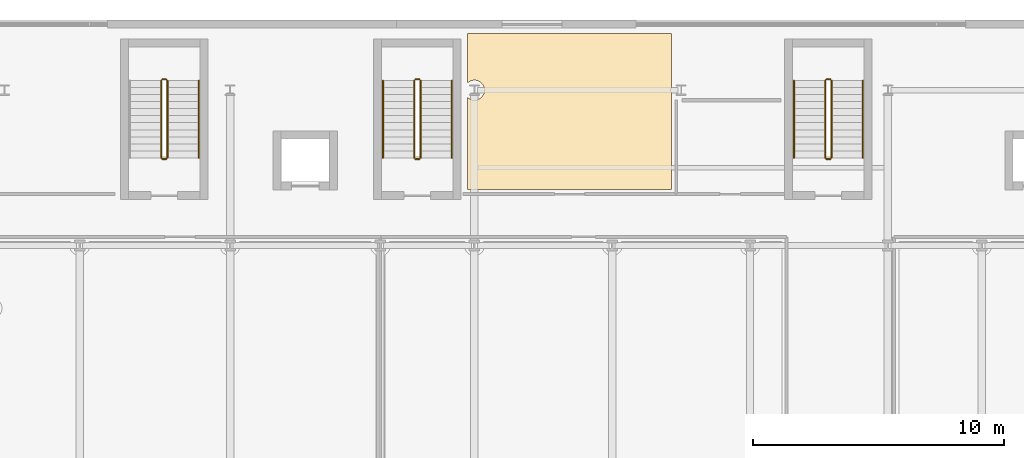
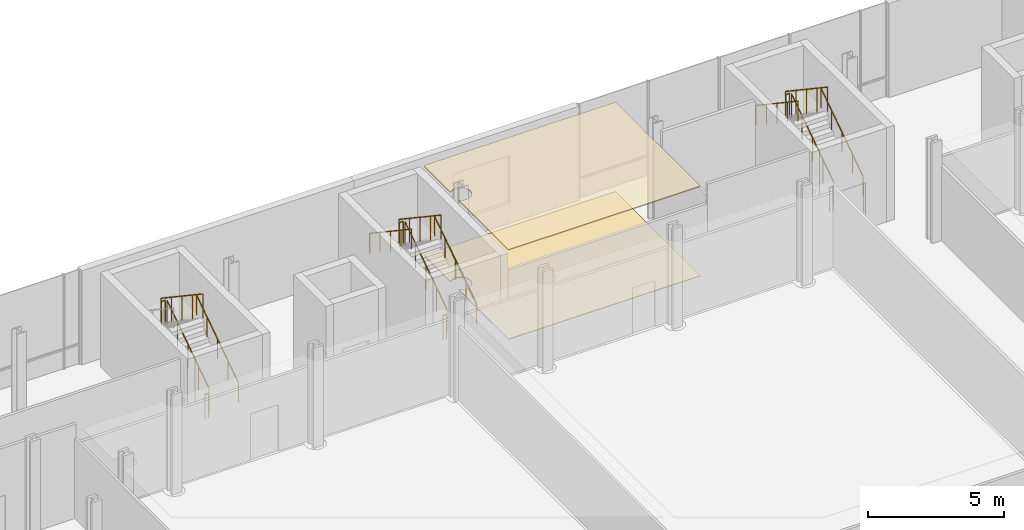
# One storey, part 24 of 25: 17 railings, 2 coverings.
"""IFC4 building model written with IfcOpenShell, lengths in metres."""

from ifc_helpers import new_model, si_unit, direction, frame, origin, origin_2d, place, context, subcontext, project, spatial, polyline, circle, outline, extrude, material, layer, layer_set, type_object, element, save


model = new_model("IFC4")

# Units and contexts
model_context = context("Model", 3, precision=1e-05, world=origin(), true_north=direction((0.0, 1.0)))
body_context = subcontext(model_context, "Body", "Model", "MODEL_VIEW")
ifc_project = project(units=[si_unit("LENGTHUNIT", "METRE"), si_unit("AREAUNIT", "SQUARE_METRE"), si_unit("VOLUMEUNIT", "CUBIC_METRE"), si_unit("PLANEANGLEUNIT", "RADIAN"), si_unit("MASSUNIT", "GRAM", prefix="KILO")], contexts=[model_context])

# Site, building, storey
site_placement = place(None, origin())
site = spatial("IfcSite", under=ifc_project, at=site_placement, CompositionType="ELEMENT")
building_placement = place(site_placement, origin())
building = spatial("IfcBuilding", under=site, at=building_placement, Name="Brevholm Reach", CompositionType="ELEMENT")
storey_placement = place(building_placement, frame((0.0, 0.0, 13.5)))
storey = spatial("IfcBuildingStorey", under=building, at=storey_placement, Name="L03", CompositionType="ELEMENT", Elevation=13.5)

# Coverings
ifc_material_1 = material(Name="Perforated Mineral-Fibre Class-A Acoustic Suspended Ceiling", Category="gypsum")
ifc_layer_1 = layer(ifc_material_1, 0.044921875)
ifc_layer_set_1 = layer_set([ifc_layer_1], Name="Perforated Mineral-Fibre Class-A Acoustic Suspended Ceiling")
covering_type_1 = type_object("IfcCoveringType", Name="COV-CLG-AC", PredefinedType="CEILING", material=ifc_layer_set_1)
covering_1_placement = place(storey_placement, frame((0.0, 0.0, 4.0048828125)))
element("IfcCovering", 1, at=covering_1_placement, inside=storey, type_object=covering_type_1, Name="L03 Suspended Ceiling L03-27", PredefinedType="CEILING", context=body_context, shape_type="SweptSolid", body=[
    extrude(outline(polyline([(21.47998046875, 36.905517578125), (21.49609375, 36.890869140625), (21.52783203125, 36.867431640625), (21.561279296875, 36.84716796875), (21.596923828125, 36.830322265625), (21.6337890625, 36.817138671875), (21.672119140625, 36.8076171875), (21.710693359375, 36.802001953125), (21.75, 36.800048828125), (21.789306640625, 36.802001953125), (21.827880859375, 36.8076171875), (21.8662109375, 36.817138671875), (21.903076171875, 36.830322265625), (21.938720703125, 36.84716796875), (21.97216796875, 36.867431640625), (22.00390625, 36.890869140625), (22.03271484375, 36.917236328125), (22.05908203125, 36.9462890625), (22.08251953125, 36.977783203125), (22.102783203125, 37.011474609375), (22.11962890625, 37.046875), (22.1328125, 37.083984375), (22.142333984375, 37.1220703125), (22.148193359375, 37.160888671875), (22.14990234375, 37.199951171875), (22.148193359375, 37.2392578125), (22.142333984375, 37.278076171875), (22.1328125, 37.316162109375), (22.11962890625, 37.35302734375), (22.102783203125, 37.388671875), (22.08251953125, 37.422119140625), (22.05908203125, 37.453857421875), (22.03271484375, 37.48291015625), (22.00390625, 37.50927734375), (21.97216796875, 37.53271484375), (21.938720703125, 37.552734375), (21.903076171875, 37.569580078125), (21.8662109375, 37.582763671875), (21.827880859375, 37.59228515625), (21.789306640625, 37.59814453125), (21.75, 37.60009765625), (21.710693359375, 37.59814453125), (21.672119140625, 37.59228515625), (21.6337890625, 37.582763671875), (21.596923828125, 37.569580078125), (21.561279296875, 37.552734375), (21.52783203125, 37.53271484375), (21.49609375, 37.50927734375), (21.47998046875, 37.494384765625), (21.47998046875, 39.4599609375), (29.6201171875, 39.4599609375), (29.6201171875, 37.323974609375), (29.6171875, 37.316162109375), (29.607666015625, 37.278076171875), (29.601806640625, 37.2392578125), (29.60009765625, 37.199951171875), (29.601806640625, 37.160888671875), (29.607666015625, 37.1220703125), (29.6171875, 37.083984375), (29.6201171875, 37.076171875), (29.6201171875, 33.23388671875), (21.47998046875, 33.23388671875), (21.47998046875, 36.905517578125)])), origin(), (0.0, 0.0, 1.0), 0.045166015625),
])
ifc_material_2 = material(Name="Honed Portland-Aggregate Resin Terrazzo Flooring", Category="concrete")
ifc_layer_2 = layer(ifc_material_2, 0.031982421875)
ifc_layer_set_2 = layer_set([ifc_layer_2], Name="Honed Portland-Aggregate Resin Terrazzo Flooring")
covering_type_2 = type_object("IfcCoveringType", Name="COV-FLR-TRZ", PredefinedType="FLOORING", material=ifc_layer_set_2)
covering_2_placement = place(storey_placement, origin())
element("IfcCovering", 2, at=covering_2_placement, inside=storey, type_object=covering_type_2, Name="L03 Floor Finish L03-27", PredefinedType="FLOORING", context=body_context, shape_type="SweptSolid", body=[
    extrude(outline(polyline([(21.47998046875, 36.905517578125), (21.49609375, 36.890869140625), (21.52783203125, 36.867431640625), (21.561279296875, 36.84716796875), (21.596923828125, 36.830322265625), (21.6337890625, 36.817138671875), (21.672119140625, 36.8076171875), (21.710693359375, 36.802001953125), (21.75, 36.800048828125), (21.789306640625, 36.802001953125), (21.827880859375, 36.8076171875), (21.8662109375, 36.817138671875), (21.903076171875, 36.830322265625), (21.938720703125, 36.84716796875), (21.97216796875, 36.867431640625), (22.00390625, 36.890869140625), (22.03271484375, 36.917236328125), (22.05908203125, 36.9462890625), (22.08251953125, 36.977783203125), (22.102783203125, 37.011474609375), (22.11962890625, 37.046875), (22.1328125, 37.083984375), (22.142333984375, 37.1220703125), (22.148193359375, 37.160888671875), (22.14990234375, 37.199951171875), (22.148193359375, 37.2392578125), (22.142333984375, 37.278076171875), (22.1328125, 37.316162109375), (22.11962890625, 37.35302734375), (22.102783203125, 37.388671875), (22.08251953125, 37.422119140625), (22.05908203125, 37.453857421875), (22.03271484375, 37.48291015625), (22.00390625, 37.50927734375), (21.97216796875, 37.53271484375), (21.938720703125, 37.552734375), (21.903076171875, 37.569580078125), (21.8662109375, 37.582763671875), (21.827880859375, 37.59228515625), (21.789306640625, 37.59814453125), (21.75, 37.60009765625), (21.710693359375, 37.59814453125), (21.672119140625, 37.59228515625), (21.6337890625, 37.582763671875), (21.596923828125, 37.569580078125), (21.561279296875, 37.552734375), (21.52783203125, 37.53271484375), (21.49609375, 37.50927734375), (21.47998046875, 37.494384765625), (21.47998046875, 39.4599609375), (29.6201171875, 39.4599609375), (29.6201171875, 37.323974609375), (29.6171875, 37.316162109375), (29.607666015625, 37.278076171875), (29.601806640625, 37.2392578125), (29.60009765625, 37.199951171875), (29.601806640625, 37.160888671875), (29.607666015625, 37.1220703125), (29.6171875, 37.083984375), (29.6201171875, 37.076171875), (29.6201171875, 33.23388671875), (21.47998046875, 33.23388671875), (21.47998046875, 36.905517578125)])), origin(), (0.0, 0.0, 1.0), 0.031982421875),
])

# Railings
ifc_material_3 = material(Name="Brushed Stainless Steel EN 1.4401 Continuous Handrail", Category="steel")
railing_type_1 = type_object("IfcRailingType", Name="RAL-HND-950", PredefinedType="HANDRAIL", material=ifc_material_3)
for number, where, name in (
    (3, (10.75, 34.5, 0.1875), "L03 ST-S1 stair handrail 1"),
    (4, (20.85009765625, 34.5, 0.1875), "L03 ST-S2 stair handrail 1"),
):
    element("IfcRailing", number, at=place(storey_placement, frame(where)), inside=storey, type_object=railing_type_1, Name=name, PredefinedType="HANDRAIL", context=body_context, shape_type="SweptSolid", body=[
        extrude(circle(Radius=0.02392578125, at=origin_2d()), frame((0.0, 0.0, 0.8857421875), z_axis=(0.0, 0.830913701846, 0.55640131208), x_axis=(-1.0, 0.0, 0.0)), (0.0, 0.0, 1.0), 3.706787109375),
        extrude(circle(Radius=0.02099609375, at=origin_2d()), origin(), (0.0, 0.0, 1.0), 0.86181640625),
        extrude(circle(Radius=0.02099609375, at=origin_2d()), frame((0.0, 0.77001953125, 0.515625)), (0.0, 0.0, 1.0), 0.86181640625),
        extrude(circle(Radius=0.02099609375, at=origin_2d()), frame((0.0, 1.5400390625, 1.03125)), (0.0, 0.0, 1.0), 0.86181640625),
        extrude(circle(Radius=0.02099609375, at=origin_2d()), frame((0.0, 2.31005859375, 1.546875)), (0.0, 0.0, 1.0), 0.86181640625),
        extrude(circle(Radius=0.02099609375, at=origin_2d()), frame((0.0, 3.080078125, 2.0625)), (0.0, 0.0, 1.0), 0.86181640625),
    ])
railing_1_placement = place(storey_placement, frame((18.10009765625, 37.580078125, 2.4375)))
element("IfcRailing", 5, at=railing_1_placement, inside=storey, type_object=railing_type_1, Name="L03 ST-S2 stair handrail 2", PredefinedType="HANDRAIL", context=body_context, shape_type="SweptSolid", body=[
    extrude(circle(Radius=0.02392578125, at=origin_2d()), frame((0.0, 0.0, 0.8857421875), z_axis=(0.0, -0.830913701846, 0.55640131208), x_axis=(1.0, 0.0, 0.0)), (0.0, 0.0, 1.0), 3.706787109375),
    extrude(circle(Radius=0.02099609375, at=origin_2d()), origin(), (0.0, 0.0, 1.0), 0.86181640625),
    extrude(circle(Radius=0.02099609375, at=origin_2d()), frame((0.0, -0.77001953125, 0.515625)), (0.0, 0.0, 1.0), 0.86181640625),
    extrude(circle(Radius=0.02099609375, at=origin_2d()), frame((0.0, -1.5400390625, 1.03125)), (0.0, 0.0, 1.0), 0.86181640625),
    extrude(circle(Radius=0.02099609375, at=origin_2d()), frame((0.0, -2.31005859375, 1.546875)), (0.0, 0.0, 1.0), 0.86181640625),
    extrude(circle(Radius=0.02099609375, at=origin_2d()), frame((0.0, -3.080078125, 2.0625)), (0.0, 0.0, 1.0), 0.86181640625),
])
railing_2_placement = place(storey_placement, frame((37.25, 34.5, 0.1875)))
element("IfcRailing", 6, at=railing_2_placement, inside=storey, type_object=railing_type_1, Name="L03 ST-S3 stair handrail 1", PredefinedType="HANDRAIL", context=body_context, shape_type="SweptSolid", body=[
    extrude(circle(Radius=0.02392578125, at=origin_2d()), frame((0.0, 0.0, 0.8857421875), z_axis=(0.0, 0.830913701846, 0.55640131208), x_axis=(-1.0, 0.0, 0.0)), (0.0, 0.0, 1.0), 3.706787109375),
    extrude(circle(Radius=0.02099609375, at=origin_2d()), origin(), (0.0, 0.0, 1.0), 0.86181640625),
    extrude(circle(Radius=0.02099609375, at=origin_2d()), frame((0.0, 0.77001953125, 0.515625)), (0.0, 0.0, 1.0), 0.86181640625),
    extrude(circle(Radius=0.02099609375, at=origin_2d()), frame((0.0, 1.5400390625, 1.03125)), (0.0, 0.0, 1.0), 0.86181640625),
    extrude(circle(Radius=0.02099609375, at=origin_2d()), frame((0.0, 2.31005859375, 1.546875)), (0.0, 0.0, 1.0), 0.86181640625),
    extrude(circle(Radius=0.02099609375, at=origin_2d()), frame((0.0, 3.080078125, 2.0625)), (0.0, 0.0, 1.0), 0.86181640625),
])
railing_3_placement = place(storey_placement, frame((34.5, 37.580078125, 2.4375)))
element("IfcRailing", 7, at=railing_3_placement, inside=storey, type_object=railing_type_1, Name="L03 ST-S3 stair handrail 2", PredefinedType="HANDRAIL", context=body_context, shape_type="SweptSolid", body=[
    extrude(circle(Radius=0.02392578125, at=origin_2d()), frame((0.0, 0.0, 0.8857421875), z_axis=(0.0, -0.830913701846, 0.55640131208), x_axis=(1.0, 0.0, 0.0)), (0.0, 0.0, 1.0), 3.706787109375),
    extrude(circle(Radius=0.02099609375, at=origin_2d()), origin(), (0.0, 0.0, 1.0), 0.86181640625),
    extrude(circle(Radius=0.02099609375, at=origin_2d()), frame((0.0, -0.77001953125, 0.515625)), (0.0, 0.0, 1.0), 0.86181640625),
    extrude(circle(Radius=0.02099609375, at=origin_2d()), frame((0.0, -1.5400390625, 1.03125)), (0.0, 0.0, 1.0), 0.86181640625),
    extrude(circle(Radius=0.02099609375, at=origin_2d()), frame((0.0, -2.31005859375, 1.546875)), (0.0, 0.0, 1.0), 0.86181640625),
    extrude(circle(Radius=0.02099609375, at=origin_2d()), frame((0.0, -3.080078125, 2.0625)), (0.0, 0.0, 1.0), 0.86181640625),
])
ifc_material_4 = material(Name="Painted Tubular Galvanised Steel S275JR Stair Guard", Category="steel")
railing_type_2 = type_object("IfcRailingType", Name="RAL-STG-1120", PredefinedType="BALUSTRADE", material=ifc_material_4)
railing_4_placement = place(storey_placement, frame((9.5, 34.5, 0.1875)))
element("IfcRailing", 8, at=railing_4_placement, inside=storey, type_object=railing_type_2, Name="L03 ST-S1 stair guard 1", PredefinedType="BALUSTRADE", context=body_context, shape_type="SweptSolid", body=[
    extrude(circle(Radius=0.02392578125, at=origin_2d()), frame((0.0, 0.0, 1.076171875), z_axis=(0.0, 0.830913701846, 0.55640131208), x_axis=(-1.0, 0.0, 0.0)), (0.0, 0.0, 1.0), 3.706787109375),
    extrude(circle(Radius=0.02099609375, at=origin_2d()), origin(), (0.0, 0.0, 1.0), 1.052001953125),
    extrude(circle(Radius=0.02099609375, at=origin_2d()), frame((0.0, 0.77001953125, 0.515625)), (0.0, 0.0, 1.0), 1.052001953125),
    extrude(circle(Radius=0.02099609375, at=origin_2d()), frame((0.0, 1.5400390625, 1.03125)), (0.0, 0.0, 1.0), 1.052001953125),
    extrude(circle(Radius=0.02099609375, at=origin_2d()), frame((0.0, 2.31005859375, 1.546875)), (0.0, 0.0, 1.0), 1.052001953125),
    extrude(circle(Radius=0.02099609375, at=origin_2d()), frame((0.0, 3.080078125, 2.0625)), (0.0, 0.0, 1.0), 1.052001953125),
])
railing_5_placement = place(storey_placement, frame((9.449951171875, 37.6298828125, 2.25)))
element("IfcRailing", 9, at=railing_5_placement, inside=storey, type_object=railing_type_2, Name="L03 ST-S1 stair guard 2", PredefinedType="BALUSTRADE", context=body_context, shape_type="SweptSolid", body=[
    extrude(circle(Radius=0.02392578125, at=origin_2d()), frame((0.0, 0.0, 1.076171875), z_axis=(-1.0, 0.0, 0.0), x_axis=(0.0, -1.0, 0.0)), (0.0, 0.0, 1.0), 0.14990234375),
    extrude(circle(Radius=0.02099609375, at=origin_2d()), origin(), (0.0, 0.0, 1.0), 1.052001953125),
    extrude(circle(Radius=0.02099609375, at=origin_2d()), frame((-0.14990234375, 0.0, 0.0)), (0.0, 0.0, 1.0), 1.052001953125),
])
railing_6_placement = place(storey_placement, frame((9.25, 37.580078125, 2.4375)))
element("IfcRailing", 10, at=railing_6_placement, inside=storey, type_object=railing_type_2, Name="L03 ST-S1 stair guard 3", PredefinedType="BALUSTRADE", context=body_context, shape_type="SweptSolid", body=[
    extrude(circle(Radius=0.02392578125, at=origin_2d()), frame((0.0, 0.0, 1.076171875), z_axis=(0.0, -0.830913701846, 0.55640131208), x_axis=(1.0, 0.0, 0.0)), (0.0, 0.0, 1.0), 3.706787109375),
    extrude(circle(Radius=0.02099609375, at=origin_2d()), origin(), (0.0, 0.0, 1.0), 1.052001953125),
    extrude(circle(Radius=0.02099609375, at=origin_2d()), frame((0.0, -0.77001953125, 0.515625)), (0.0, 0.0, 1.0), 1.052001953125),
    extrude(circle(Radius=0.02099609375, at=origin_2d()), frame((0.0, -1.5400390625, 1.03125)), (0.0, 0.0, 1.0), 1.052001953125),
    extrude(circle(Radius=0.02099609375, at=origin_2d()), frame((0.0, -2.31005859375, 1.546875)), (0.0, 0.0, 1.0), 1.052001953125),
    extrude(circle(Radius=0.02099609375, at=origin_2d()), frame((0.0, -3.080078125, 2.0625)), (0.0, 0.0, 1.0), 1.052001953125),
])
railing_7_placement = place(storey_placement, frame((9.449951171875, 34.449951171875, 0.0)))
element("IfcRailing", 11, at=railing_7_placement, inside=storey, type_object=railing_type_2, Name="L03 ST-S1 stair guard 4", PredefinedType="BALUSTRADE", context=body_context, shape_type="SweptSolid", body=[
    extrude(circle(Radius=0.02392578125, at=origin_2d()), frame((0.0, 0.0, 1.076171875), z_axis=(-1.0, 0.0, 0.0), x_axis=(0.0, -1.0, 0.0)), (0.0, 0.0, 1.0), 0.14990234375),
    extrude(circle(Radius=0.02099609375, at=origin_2d()), origin(), (0.0, 0.0, 1.0), 1.052001953125),
    extrude(circle(Radius=0.02099609375, at=origin_2d()), frame((-0.14990234375, 0.0, 0.0)), (0.0, 0.0, 1.0), 1.052001953125),
])
railing_8_placement = place(storey_placement, frame((19.60009765625, 34.5, 0.1875)))
element("IfcRailing", 12, at=railing_8_placement, inside=storey, type_object=railing_type_2, Name="L03 ST-S2 stair guard 1", PredefinedType="BALUSTRADE", context=body_context, shape_type="SweptSolid", body=[
    extrude(circle(Radius=0.02392578125, at=origin_2d()), frame((0.0, 0.0, 1.076171875), z_axis=(0.0, 0.830913701846, 0.55640131208), x_axis=(-1.0, 0.0, 0.0)), (0.0, 0.0, 1.0), 3.706787109375),
    extrude(circle(Radius=0.02099609375, at=origin_2d()), origin(), (0.0, 0.0, 1.0), 1.052001953125),
    extrude(circle(Radius=0.02099609375, at=origin_2d()), frame((0.0, 0.77001953125, 0.515625)), (0.0, 0.0, 1.0), 1.052001953125),
    extrude(circle(Radius=0.02099609375, at=origin_2d()), frame((0.0, 1.5400390625, 1.03125)), (0.0, 0.0, 1.0), 1.052001953125),
    extrude(circle(Radius=0.02099609375, at=origin_2d()), frame((0.0, 2.31005859375, 1.546875)), (0.0, 0.0, 1.0), 1.052001953125),
    extrude(circle(Radius=0.02099609375, at=origin_2d()), frame((0.0, 3.080078125, 2.0625)), (0.0, 0.0, 1.0), 1.052001953125),
])
railing_9_placement = place(storey_placement, frame((19.550048828125, 37.6298828125, 2.25)))
element("IfcRailing", 13, at=railing_9_placement, inside=storey, type_object=railing_type_2, Name="L03 ST-S2 stair guard 2", PredefinedType="BALUSTRADE", context=body_context, shape_type="SweptSolid", body=[
    extrude(circle(Radius=0.02392578125, at=origin_2d()), frame((0.0, 0.0, 1.076171875), z_axis=(-1.0, 0.0, 0.0), x_axis=(0.0, -1.0, 0.0)), (0.0, 0.0, 1.0), 0.150146484375),
    extrude(circle(Radius=0.02099609375, at=origin_2d()), origin(), (0.0, 0.0, 1.0), 1.052001953125),
    extrude(circle(Radius=0.02099609375, at=origin_2d()), frame((-0.150146484375, 0.0, 0.0)), (0.0, 0.0, 1.0), 1.052001953125),
])
railing_10_placement = place(storey_placement, frame((19.35009765625, 37.580078125, 2.4375)))
element("IfcRailing", 14, at=railing_10_placement, inside=storey, type_object=railing_type_2, Name="L03 ST-S2 stair guard 3", PredefinedType="BALUSTRADE", context=body_context, shape_type="SweptSolid", body=[
    extrude(circle(Radius=0.02392578125, at=origin_2d()), frame((0.0, 0.0, 1.076171875), z_axis=(0.0, -0.830913701846, 0.55640131208), x_axis=(1.0, 0.0, 0.0)), (0.0, 0.0, 1.0), 3.706787109375),
    extrude(circle(Radius=0.02099609375, at=origin_2d()), origin(), (0.0, 0.0, 1.0), 1.052001953125),
    extrude(circle(Radius=0.02099609375, at=origin_2d()), frame((0.0, -0.77001953125, 0.515625)), (0.0, 0.0, 1.0), 1.052001953125),
    extrude(circle(Radius=0.02099609375, at=origin_2d()), frame((0.0, -1.5400390625, 1.03125)), (0.0, 0.0, 1.0), 1.052001953125),
    extrude(circle(Radius=0.02099609375, at=origin_2d()), frame((0.0, -2.31005859375, 1.546875)), (0.0, 0.0, 1.0), 1.052001953125),
    extrude(circle(Radius=0.02099609375, at=origin_2d()), frame((0.0, -3.080078125, 2.0625)), (0.0, 0.0, 1.0), 1.052001953125),
])
railing_11_placement = place(storey_placement, frame((19.550048828125, 34.449951171875, 0.0)))
element("IfcRailing", 15, at=railing_11_placement, inside=storey, type_object=railing_type_2, Name="L03 ST-S2 stair guard 4", PredefinedType="BALUSTRADE", context=body_context, shape_type="SweptSolid", body=[
    extrude(circle(Radius=0.02392578125, at=origin_2d()), frame((0.0, 0.0, 1.076171875), z_axis=(-1.0, 0.0, 0.0), x_axis=(0.0, -1.0, 0.0)), (0.0, 0.0, 1.0), 0.150146484375),
    extrude(circle(Radius=0.02099609375, at=origin_2d()), origin(), (0.0, 0.0, 1.0), 1.052001953125),
    extrude(circle(Radius=0.02099609375, at=origin_2d()), frame((-0.150146484375, 0.0, 0.0)), (0.0, 0.0, 1.0), 1.052001953125),
])
railing_12_placement = place(storey_placement, frame((36.0, 34.5, 0.1875)))
element("IfcRailing", 16, at=railing_12_placement, inside=storey, type_object=railing_type_2, Name="L03 ST-S3 stair guard 1", PredefinedType="BALUSTRADE", context=body_context, shape_type="SweptSolid", body=[
    extrude(circle(Radius=0.02392578125, at=origin_2d()), frame((0.0, 0.0, 1.076171875), z_axis=(0.0, 0.830913701846, 0.55640131208), x_axis=(-1.0, 0.0, 0.0)), (0.0, 0.0, 1.0), 3.706787109375),
    extrude(circle(Radius=0.02099609375, at=origin_2d()), origin(), (0.0, 0.0, 1.0), 1.052001953125),
    extrude(circle(Radius=0.02099609375, at=origin_2d()), frame((0.0, 0.77001953125, 0.515625)), (0.0, 0.0, 1.0), 1.052001953125),
    extrude(circle(Radius=0.02099609375, at=origin_2d()), frame((0.0, 1.5400390625, 1.03125)), (0.0, 0.0, 1.0), 1.052001953125),
    extrude(circle(Radius=0.02099609375, at=origin_2d()), frame((0.0, 2.31005859375, 1.546875)), (0.0, 0.0, 1.0), 1.052001953125),
    extrude(circle(Radius=0.02099609375, at=origin_2d()), frame((0.0, 3.080078125, 2.0625)), (0.0, 0.0, 1.0), 1.052001953125),
])
railing_13_placement = place(storey_placement, frame((35.949951171875, 37.6298828125, 2.25)))
element("IfcRailing", 17, at=railing_13_placement, inside=storey, type_object=railing_type_2, Name="L03 ST-S3 stair guard 2", PredefinedType="BALUSTRADE", context=body_context, shape_type="SweptSolid", body=[
    extrude(circle(Radius=0.02392578125, at=origin_2d()), frame((0.0, 0.0, 1.076171875), z_axis=(-1.0, 0.0, 0.0), x_axis=(0.0, -1.0, 0.0)), (0.0, 0.0, 1.0), 0.14990234375),
    extrude(circle(Radius=0.02099609375, at=origin_2d()), origin(), (0.0, 0.0, 1.0), 1.052001953125),
    extrude(circle(Radius=0.02099609375, at=origin_2d()), frame((-0.14990234375, 0.0, 0.0)), (0.0, 0.0, 1.0), 1.052001953125),
])
railing_14_placement = place(storey_placement, frame((35.75, 37.580078125, 2.4375)))
element("IfcRailing", 18, at=railing_14_placement, inside=storey, type_object=railing_type_2, Name="L03 ST-S3 stair guard 3", PredefinedType="BALUSTRADE", context=body_context, shape_type="SweptSolid", body=[
    extrude(circle(Radius=0.02392578125, at=origin_2d()), frame((0.0, 0.0, 1.076171875), z_axis=(0.0, -0.830913701846, 0.55640131208), x_axis=(1.0, 0.0, 0.0)), (0.0, 0.0, 1.0), 3.706787109375),
    extrude(circle(Radius=0.02099609375, at=origin_2d()), origin(), (0.0, 0.0, 1.0), 1.052001953125),
    extrude(circle(Radius=0.02099609375, at=origin_2d()), frame((0.0, -0.77001953125, 0.515625)), (0.0, 0.0, 1.0), 1.052001953125),
    extrude(circle(Radius=0.02099609375, at=origin_2d()), frame((0.0, -1.5400390625, 1.03125)), (0.0, 0.0, 1.0), 1.052001953125),
    extrude(circle(Radius=0.02099609375, at=origin_2d()), frame((0.0, -2.31005859375, 1.546875)), (0.0, 0.0, 1.0), 1.052001953125),
    extrude(circle(Radius=0.02099609375, at=origin_2d()), frame((0.0, -3.080078125, 2.0625)), (0.0, 0.0, 1.0), 1.052001953125),
])
railing_15_placement = place(storey_placement, frame((35.949951171875, 34.449951171875, 0.0)))
element("IfcRailing", 19, at=railing_15_placement, inside=storey, type_object=railing_type_2, Name="L03 ST-S3 stair guard 4", PredefinedType="BALUSTRADE", context=body_context, shape_type="SweptSolid", body=[
    extrude(circle(Radius=0.02392578125, at=origin_2d()), frame((0.0, 0.0, 1.076171875), z_axis=(-1.0, 0.0, 0.0), x_axis=(0.0, -1.0, 0.0)), (0.0, 0.0, 1.0), 0.14990234375),
    extrude(circle(Radius=0.02099609375, at=origin_2d()), origin(), (0.0, 0.0, 1.0), 1.052001953125),
    extrude(circle(Radius=0.02099609375, at=origin_2d()), frame((-0.14990234375, 0.0, 0.0)), (0.0, 0.0, 1.0), 1.052001953125),
])

save(model, "model.ifc")
